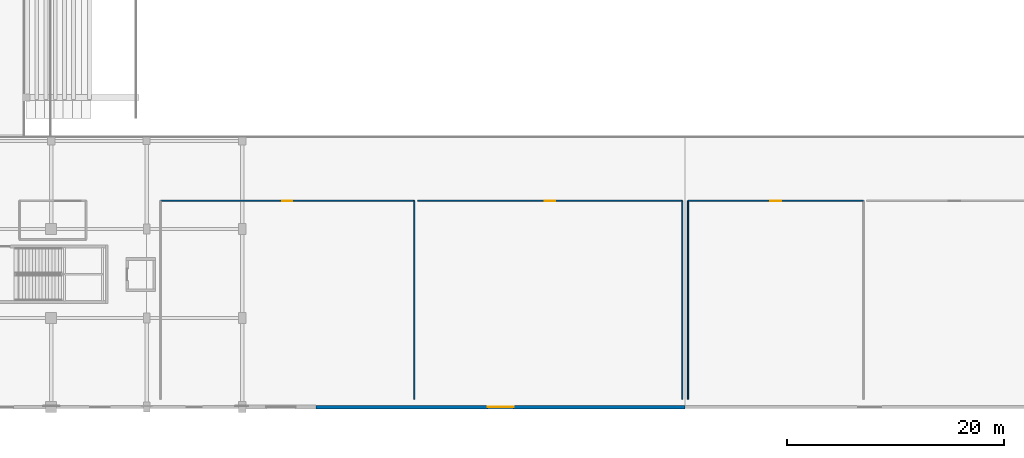
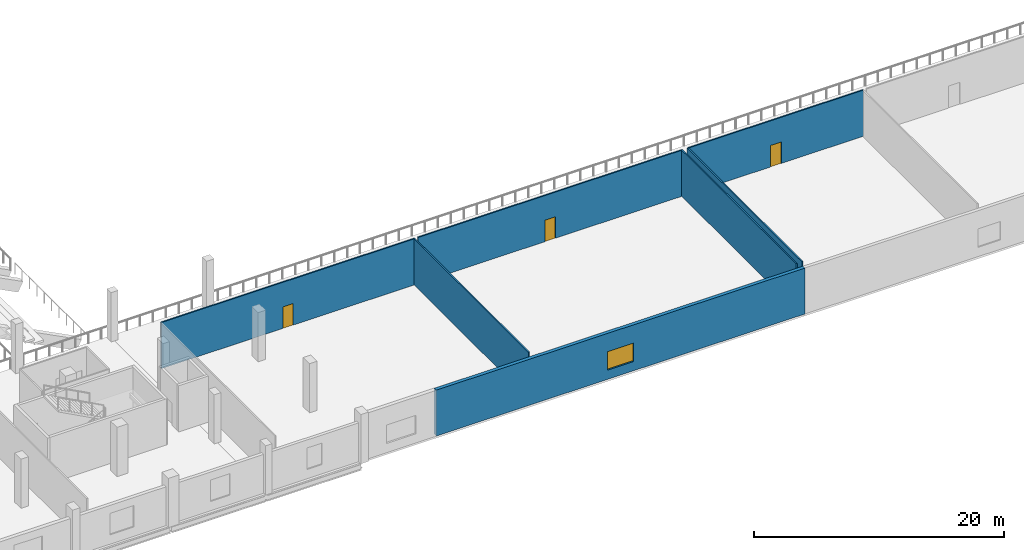
# One storey, part 31 of 74: 7 walls, 3 doors, 1 window, 4 openings.
"""IFC4 building model written with IfcOpenShell, lengths in metres."""

from ifc_helpers import new_model, si_unit, direction, frame, frame_2d, origin, place, context, subcontext, project, spatial, rectangle, extrude, material, layer, layer_set, type_object, element, fill, save


model = new_model("IFC4")

# Units and contexts
model_context = context("Model", 3, precision=1e-05, world=origin(), true_north=direction((0.0, 1.0)))
body_context = subcontext(model_context, "Body", "Model", "MODEL_VIEW")
ifc_project = project(units=[si_unit("LENGTHUNIT", "METRE"), si_unit("AREAUNIT", "SQUARE_METRE"), si_unit("VOLUMEUNIT", "CUBIC_METRE"), si_unit("PLANEANGLEUNIT", "RADIAN"), si_unit("MASSUNIT", "GRAM", prefix="KILO")], contexts=[model_context])

# Site, building, storey
site_placement = place(None, origin())
site = spatial("IfcSite", under=ifc_project, at=site_placement, CompositionType="ELEMENT")
building_placement = place(site_placement, origin())
building = spatial("IfcBuilding", under=site, at=building_placement, Name="Koshinbarg Plaza Stadium", CompositionType="ELEMENT")
storey_placement = place(building_placement, frame((0.0, 0.0, 15.0)))
storey = spatial("IfcBuildingStorey", under=building, at=storey_placement, Name="L03", CompositionType="ELEMENT", Elevation=15.0)

# Wall, opening, window
ifc_material_1 = material(Name="Ultramarine-blue pigmented mineral plaster facade wall", Category="masonry")
ifc_layer_1 = layer(ifc_material_1, 0.320068359375)
ifc_layer_set_1 = layer_set([ifc_layer_1], Name="Ultramarine-blue pigmented mineral plaster facade wall")
wall_type_1 = type_object("IfcWallType", Name="WL-EXT-320", PredefinedType="SOLIDWALL", material=ifc_layer_set_1)
wall_1_placement = place(storey_placement, frame((122.0, 0.0, 0.0), z_axis=(0.0, 0.0, 1.0), x_axis=(-1.0, 0.0, 0.0)))
wall_1 = element("IfcWall", 1, at=wall_1_placement, inside=storey, type_object=wall_type_1, Name="L03 exterior envelope wall EWL-L03-0194", PredefinedType="SOLIDWALL", context=body_context, shape_type="SweptSolid", body=[
    extrude(rectangle(XDim=34.0, YDim=0.320068359375, at=frame_2d((17.0, 0.0))), origin(), (0.0, 0.0, 1.0), 4.47998046875),
])
opening_1_placement = place(wall_1_placement, frame((15.800048828125, 0.0, 0.89990234375)))
opening_1 = element("IfcOpeningElement", 2, at=opening_1_placement, cuts=wall_1, Name="Opening WN11", PredefinedType="OPENING", context=body_context, shape_type="SweptSolid", body=[
    extrude(rectangle(XDim=2.39990234375, YDim=1.800048828125, at=frame_2d((1.199951171875, 0.89990234375))), frame((0.0, 0.169921875, 0.0), z_axis=(0.0, -1.0, 0.0), x_axis=(1.0, 0.0, 0.0)), (0.0, 0.0, 1.0), 0.340087890625),
])
ifc_material_2 = material(Name="Solar-control double glazing in thermally broken aluminium frame", Category="aluminium")
window_type = type_object("IfcWindowType", Name="WN-FAC-11", PartitioningType="DOUBLE_PANEL_VERTICAL", PredefinedType="WINDOW", material=ifc_material_2)
window_placement = place(opening_1_placement, origin())
window = element("IfcWindow", 3, at=window_placement, inside=storey, type_object=window_type, Name="L03 facade window 0127", OverallHeight=1.800048828125, OverallWidth=2.39990234375, PartitioningType="SINGLE_PANEL", PredefinedType="WINDOW", context=body_context, shape_type="SweptSolid", body=[
    extrude(rectangle(XDim=2.39990234375, YDim=1.800048828125, at=frame_2d((1.199951171875, 0.89990234375))), frame((0.0, 0.030029296875, 0.0), z_axis=(0.0, -1.0, 0.0), x_axis=(1.0, 0.0, 0.0)), (0.0, 0.0, 1.0), 0.06005859375),
])
fill(opening_1, window)

# Wall
ifc_material_3 = material(Name="Gypsum board metal-stud acoustic partition")
ifc_layer_2 = layer(ifc_material_3, 0.1201171875)
ifc_layer_set_2 = layer_set([ifc_layer_2], Name="Gypsum board metal-stud acoustic partition")
wall_type_2 = type_object("IfcWallType", Name="WL-PART-120", PredefinedType="PARTITIONING", material=ifc_layer_set_2)
wall_2_placement = place(storey_placement, frame((97.050048828125, 0.699951171875, 0.0), z_axis=(0.0, 0.0, 1.0), x_axis=(0.0, 1.0, 0.0)))
element("IfcWall", 4, at=wall_2_placement, inside=storey, type_object=wall_type_2, Name="L03 interior partition L03-118-east IWL-L03-2060", PredefinedType="PARTITIONING", context=body_context, shape_type="SweptSolid", body=[
    extrude(rectangle(XDim=18.300048828125, YDim=0.1201171875, at=frame_2d((9.14990234375, 0.0))), origin(), (0.0, 0.0, 1.0), 4.5),
])

# Wall, opening, door
wall_3_placement = place(storey_placement, frame((97.050048828125, 19.0, 0.0), z_axis=(0.0, 0.0, 1.0), x_axis=(-1.0, 0.0, 0.0)))
wall_3 = element("IfcWall", 5, at=wall_3_placement, inside=storey, type_object=wall_type_2, Name="L03 interior partition L03-118-north IWL-L03-2061", PredefinedType="PARTITIONING", context=body_context, shape_type="SweptSolid", body=[
    extrude(rectangle(XDim=23.3701171875, YDim=0.1201171875, at=frame_2d((11.68505859375, 0.0))), origin(), (0.0, 0.0, 1.0), 4.5),
])
opening_2_placement = place(wall_3_placement, frame((11.22509765625, 0.0, 0.0)))
opening_2 = element("IfcOpeningElement", 6, at=opening_2_placement, cuts=wall_3, Name="Opening D-0708", PredefinedType="OPENING", context=body_context, shape_type="SweptSolid", body=[
    extrude(rectangle(XDim=0.919921875, YDim=2.10009765625, at=frame_2d((0.4599609375, 1.050048828125))), frame((0.0, 0.070068359375, 0.0), z_axis=(0.0, -1.0, 0.0), x_axis=(1.0, 0.0, 0.0)), (0.0, 0.0, 1.0), 0.14013671875),
])
ifc_material_4 = material(Name="Solid-core oak veneer acoustic door")
door_type_1 = type_object("IfcDoorType", Name="DR-INT-0920x2100", OperationType="NOTDEFINED", PredefinedType="DOOR", material=ifc_material_4)
door_1_placement = place(opening_2_placement, origin())
door_1 = element("IfcDoor", 7, at=door_1_placement, inside=storey, type_object=door_type_1, Name="L03 Press Dining Hall door D-0708", OperationType="SINGLE_SWING_RIGHT", OverallHeight=2.10009765625, OverallWidth=0.919921875, PredefinedType="DOOR", context=body_context, shape_type="SweptSolid", body=[
    extrude(rectangle(XDim=0.919921875, YDim=2.10009765625, at=frame_2d((0.4599609375, 1.050048828125))), frame((0.0, 0.02490234375, 0.0), z_axis=(0.0, -1.0, 0.0), x_axis=(1.0, 0.0, 0.0)), (0.0, 0.0, 1.0), 0.050048828125),
])
fill(opening_2, door_1)

# Wall
wall_4_placement = place(storey_placement, frame((121.72998046875, 0.699951171875, 0.0), z_axis=(0.0, 0.0, 1.0), x_axis=(0.0, 1.0, 0.0)))
element("IfcWall", 8, at=wall_4_placement, inside=storey, type_object=wall_type_2, Name="L03 interior partition L03-119-east IWL-L03-2063", PredefinedType="PARTITIONING", context=body_context, shape_type="SweptSolid", body=[
    extrude(rectangle(XDim=18.300048828125, YDim=0.1201171875, at=frame_2d((9.14990234375, 0.0))), origin(), (0.0, 0.0, 1.0), 4.5),
])

# Wall, opening, door
wall_5_placement = place(storey_placement, frame((121.72998046875, 19.0, 0.0), z_axis=(0.0, 0.0, 1.0), x_axis=(-1.0, 0.0, 0.0)))
wall_5 = element("IfcWall", 9, at=wall_5_placement, inside=storey, type_object=wall_type_2, Name="L03 interior partition L03-119-north IWL-L03-2064", PredefinedType="PARTITIONING", context=body_context, shape_type="SweptSolid", body=[
    extrude(rectangle(XDim=24.3798828125, YDim=0.1201171875, at=frame_2d((12.18994140625, 0.0))), origin(), (0.0, 0.0, 1.0), 4.5),
])
opening_3_placement = place(wall_5_placement, frame((11.7099609375, 0.0, 0.0)))
opening_3 = element("IfcOpeningElement", 10, at=opening_3_placement, cuts=wall_5, Name="Opening D-0709", PredefinedType="OPENING", context=body_context, shape_type="SweptSolid", body=[
    extrude(rectangle(XDim=0.9599609375, YDim=2.10009765625, at=frame_2d((0.47998046875, 1.050048828125))), frame((0.0, 0.070068359375, 0.0), z_axis=(0.0, -1.0, 0.0), x_axis=(1.0, 0.0, 0.0)), (0.0, 0.0, 1.0), 0.14013671875),
])
door_type_2 = type_object("IfcDoorType", Name="DR-INT-0960x2100", OperationType="NOTDEFINED", PredefinedType="DOOR", material=ifc_material_4)
door_2_placement = place(opening_3_placement, origin())
door_2 = element("IfcDoor", 11, at=door_2_placement, inside=storey, type_object=door_type_2, Name="L03 Accredited Photographers Lounge door D-0709", OperationType="SINGLE_SWING_LEFT", OverallHeight=2.10009765625, OverallWidth=0.9599609375, PredefinedType="DOOR", context=body_context, shape_type="SweptSolid", body=[
    extrude(rectangle(XDim=0.9599609375, YDim=2.10009765625, at=frame_2d((0.47998046875, 1.050048828125))), frame((0.0, 0.02490234375, 0.0), z_axis=(0.0, -1.0, 0.0), x_axis=(1.0, 0.0, 0.0)), (0.0, 0.0, 1.0), 0.050048828125),
])
fill(opening_3, door_2)

wall_6_placement = place(storey_placement, frame((138.42333984375, 19.0, 0.0), z_axis=(0.0, 0.0, 1.0), x_axis=(-1.0, 0.0, 0.0)))
wall_6 = element("IfcWall", 12, at=wall_6_placement, inside=storey, type_object=wall_type_2, Name="L03 interior partition L03-120-north IWL-L03-2066", PredefinedType="PARTITIONING", context=body_context, shape_type="SweptSolid", body=[
    extrude(rectangle(XDim=16.1533203125, YDim=0.1201171875, at=frame_2d((8.07666015625, 0.0))), origin(), (0.0, 0.0, 1.0), 4.5),
])
opening_4_placement = place(wall_6_placement, frame((7.57666015625, 0.0, 0.0)))
opening_4 = element("IfcOpeningElement", 13, at=opening_4_placement, cuts=wall_6, Name="Opening D-0710", PredefinedType="OPENING", context=body_context, shape_type="SweptSolid", body=[
    extrude(rectangle(XDim=1.0, YDim=2.10009765625, at=frame_2d((0.5, 1.050048828125))), frame((0.0, 0.070068359375, 0.0), z_axis=(0.0, -1.0, 0.0), x_axis=(1.0, 0.0, 0.0)), (0.0, 0.0, 1.0), 0.14013671875),
])
ifc_material_5 = material(Name="Solid-core laminate accessible WC door")
door_type_3 = type_object("IfcDoorType", Name="DR-INT-1000x2100", OperationType="NOTDEFINED", PredefinedType="DOOR", material=ifc_material_5)
door_3_placement = place(opening_4_placement, origin())
door_3 = element("IfcDoor", 14, at=door_3_placement, inside=storey, type_object=door_type_3, Name="L03 Accredited Photographers Lounge door D-0710", OperationType="SINGLE_SWING_RIGHT", OverallHeight=2.10009765625, OverallWidth=1.0, PredefinedType="DOOR", context=body_context, shape_type="SweptSolid", body=[
    extrude(rectangle(XDim=1.0, YDim=2.10009765625, at=frame_2d((0.5, 1.050048828125))), frame((0.0, 0.02490234375, 0.0), z_axis=(0.0, -1.0, 0.0), x_axis=(1.0, 0.0, 0.0)), (0.0, 0.0, 1.0), 0.050048828125),
])
fill(opening_4, door_3)

# Wall
wall_7_placement = place(storey_placement, frame((122.27001953125, 19.0, 0.0), z_axis=(0.0, 0.0, 1.0), x_axis=(0.0, -1.0, 0.0)))
element("IfcWall", 15, at=wall_7_placement, inside=storey, type_object=wall_type_2, Name="L03 interior partition L03-120-west IWL-L03-2067", PredefinedType="PARTITIONING", context=body_context, shape_type="SweptSolid", body=[
    extrude(rectangle(XDim=18.300048828125, YDim=0.1201171875, at=frame_2d((9.14990234375, 0.0))), origin(), (0.0, 0.0, 1.0), 4.5),
])

save(model, "model.ifc")
